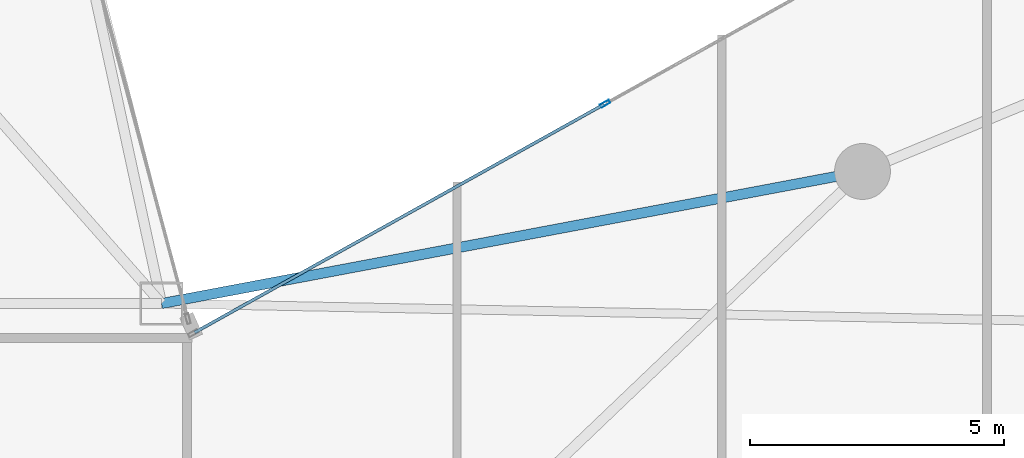
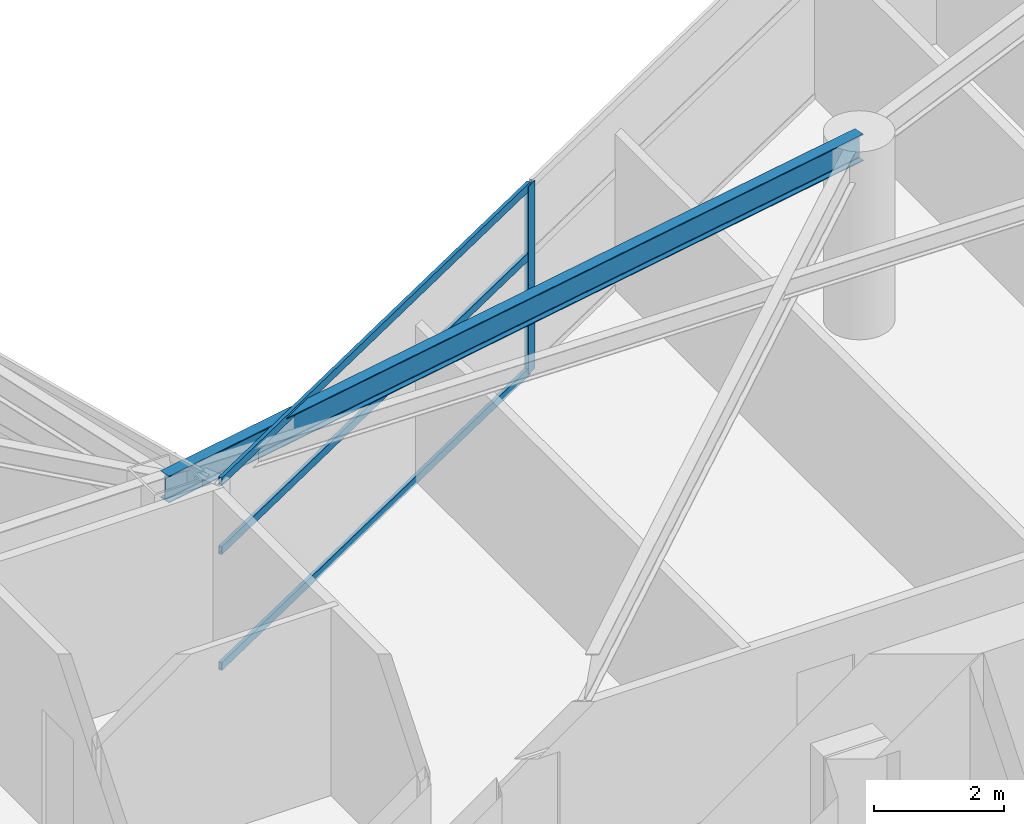
# One storey, part 11 of 28: 4 members, 1 beam, 1 element without a shape of its own.
"""IFC4 building model written with IfcOpenShell, lengths in metres."""

import ifcopenshell
import ifcopenshell.guid

model = None  # the IFC model being written
_history = None  # IfcOwnerHistory: only IFC2X3 demands one
_inside = {}  # id of a spatial element -> (the spatial element, [elements in it])
_under = {}  # id of a project, library or spatial element -> (it, [spatial elements below it])
_declared = {}  # id of a project -> (the project, [libraries it declares])
_typed = {}  # id of a type object -> (the type object, [elements of that type])
_made_of = {}  # id of a material, layer set ... -> (it, [elements and type objects made of it])


def new_model(schema):
    """Start an empty IFC model of exactly this schema.

    Asked for "IFC4X3", IfcOpenShell would pick the latest addendum, in which some entities
    have other attributes; the version numbers below select the first issue.
    IFC2X3 requires an IfcOwnerHistory on every rooted entity: one is made here for all.
    """
    global model, _history
    if schema == "IFC4X3":
        model = ifcopenshell.file(schema_version=(4, 3, 0, 0))
    else:
        model = ifcopenshell.file(schema=schema)
    _inside.clear()
    _under.clear()
    _declared.clear()
    _typed.clear()
    _made_of.clear()
    _history = None
    if model.schema == "IFC2X3":
        org = make("IfcOrganization", Name="unknown")
        user = make(
            "IfcPersonAndOrganization",
            ThePerson=make("IfcPerson", FamilyName="unknown"),
            TheOrganization=org,
        )
        app = make(
            "IfcApplication",
            ApplicationDeveloper=org,
            Version="unknown",
            ApplicationFullName="unknown",
            ApplicationIdentifier="unknown",
        )
        _history = make(
            "IfcOwnerHistory",
            OwningUser=user,
            OwningApplication=app,
            ChangeAction="ADDED",
            CreationDate=0,
        )
    return model


def make(cls, **values):
    """One entity of the class cls with the attributes given. An attribute that is None is left unset."""
    return model.create_entity(
        cls, **{name: value for name, value in values.items() if value is not None}
    )


def rooted(cls, **values):
    """An entity with a GlobalId (a new one), such as an element, a storey or a relation."""
    return make(cls, GlobalId=ifcopenshell.guid.new(), OwnerHistory=_history, **values)


def si_unit(unit_type, name, prefix=None):
    """IfcSIUnit, for example si_unit("LENGTHUNIT", "METRE", prefix="MILLI")."""
    return make("IfcSIUnit", UnitType=unit_type, Prefix=prefix, Name=name)


def assignment(units):
    """IfcUnitAssignment: the units of a project."""
    return None if units is None else make("IfcUnitAssignment", Units=units)


def point(xyz):
    """IfcCartesianPoint."""
    return None if xyz is None else make("IfcCartesianPoint", Coordinates=xyz)


def direction(xyz):
    """IfcDirection."""
    return None if xyz is None else make("IfcDirection", DirectionRatios=xyz)


def frame(location, z_axis=None, x_axis=None):
    """IfcAxis2Placement3D, a coordinate frame: its origin and axes. An axis left out is left unset."""
    return make(
        "IfcAxis2Placement3D",
        Location=point(location),
        Axis=direction(z_axis),
        RefDirection=direction(x_axis),
    )


def frame_2d(location, x_axis=None):
    """IfcAxis2Placement2D, a coordinate frame in the plane: its origin and x axis."""
    return make(
        "IfcAxis2Placement2D", Location=point(location), RefDirection=direction(x_axis)
    )


def origin():
    """The frame at (0, 0, 0) with its axes left unset."""
    return frame((0.0, 0.0, 0.0))


def origin_2d():
    """The frame at (0, 0) in the plane with its x axis left unset."""
    return frame_2d((0.0, 0.0))


def place(relative_to, where):
    """IfcLocalPlacement: puts the frame where relative to a parent placement (None: the world)."""
    return make(
        "IfcLocalPlacement", PlacementRelTo=relative_to, RelativePlacement=where
    )


def context(
    kind, dimensions, precision=None, world=None, true_north=None, identifier=None
):
    """IfcGeometricRepresentationContext, for example the 3D "Model" context."""
    return make(
        "IfcGeometricRepresentationContext",
        ContextIdentifier=identifier,
        ContextType=kind,
        CoordinateSpaceDimension=dimensions,
        Precision=precision,
        WorldCoordinateSystem=world,
        TrueNorth=true_north,
    )


def subcontext(parent, identifier, kind, view, scale=None):
    """IfcGeometricRepresentationSubContext, for example "Body" below "Model"."""
    return make(
        "IfcGeometricRepresentationSubContext",
        ContextIdentifier=identifier,
        ContextType=kind,
        ParentContext=parent,
        TargetScale=scale,
        TargetView=view,
    )


def project(units=None, contexts=None):
    """IfcProject with its units and contexts."""
    return rooted(
        "IfcProject",
        Name="project",
        RepresentationContexts=contexts,
        UnitsInContext=assignment(units),
    )


def spatial(cls, under=None, at=None, **own):
    """A site, building, storey or space (cls), placed at a placement, below another one or the project."""
    s = rooted(cls, ObjectPlacement=at, **own)
    if under is not None:
        _under.setdefault(under.id(), (under, []))[1].append(s)
    return s


def profile(cls, at=None, kind="AREA", **sizes):
    """A parametric profile (cls). Its sizes go by their IFC names, for example OverallWidth=200.0."""
    return make(cls, ProfileType=kind, Position=at, **sizes)


def hollow_rectangle(**sizes):
    """IfcRectangleHollowProfileDef."""
    return profile("IfcRectangleHollowProfileDef", **sizes)


def i_section(**sizes):
    """IfcIShapeProfileDef."""
    return profile("IfcIShapeProfileDef", **sizes)


def extrude(swept, where, along, depth):
    """IfcExtrudedAreaSolid: the profile swept, set in the frame where, extruded along a direction by depth."""
    return make(
        "IfcExtrudedAreaSolid",
        SweptArea=swept,
        Position=where,
        ExtrudedDirection=direction(along),
        Depth=depth,
    )


def shape(context_of_items, identifier, shape_type, items):
    """IfcShapeRepresentation: the items that make up one representation, for example the "Body"."""
    return make(
        "IfcShapeRepresentation",
        ContextOfItems=context_of_items,
        RepresentationIdentifier=identifier,
        RepresentationType=shape_type,
        Items=items,
    )


def material(Name=None, Category=None):
    """IfcMaterial."""
    return make("IfcMaterial", Name=Name, Category=Category)


def layer(
    of_material, thickness, ventilated=None, Name=None, Category=None, Priority=None
):
    """IfcMaterialLayer: one layer of a wall or slab, of a material (None: an air gap)."""
    return make(
        "IfcMaterialLayer",
        Material=of_material,
        LayerThickness=thickness,
        IsVentilated=ventilated,
        Name=Name,
        Category=Category,
        Priority=Priority,
    )


def layer_set(layers, Name=None):
    """IfcMaterialLayerSet."""
    return make("IfcMaterialLayerSet", MaterialLayers=layers, LayerSetName=Name)


def material_profile(
    of_material, cross_section, Name=None, Category=None, Priority=None
):
    """IfcMaterialProfile: a cross section and its material."""
    return make(
        "IfcMaterialProfile",
        Name=Name,
        Material=of_material,
        Profile=cross_section,
        Priority=Priority,
        Category=Category,
    )


def profile_set(profiles, Name=None, composite=None):
    """IfcMaterialProfileSet."""
    return make(
        "IfcMaterialProfileSet",
        Name=Name,
        MaterialProfiles=profiles,
        CompositeProfile=composite,
    )


def made_of(thing, what):
    """Note that an element or type object is made of a material, layer set ...; save() writes the relation."""
    if what is not None:
        _made_of.setdefault(what.id(), (what, []))[1].append(thing)
    return thing


def type_object(cls, material=None, **own):
    """A type object (cls), such as IfcWallType, which elements share."""
    return made_of(rooted(cls, **own), material)


def element(
    cls,
    number,
    at=None,
    inside=None,
    cuts=None,
    type_object=None,
    material=None,
    context=None,
    identifier="Body",
    shape_type=None,
    held_by="IfcProductDefinitionShape",
    body=None,
    shapes=None,
    **own,
):
    """One element of the class cls, such as IfcWall. Its Tag is "e" and its number.

    at: its placement. inside: the storey or other place that contains it. cuts: it is an
    opening in that element (IfcRelVoidsElement). A single representation is given by context,
    identifier, shape_type and body (its items); several are given by shapes. held_by: the class
    of the entity that holds the representations. save() writes the other relations.
    """
    e = rooted(cls, Tag="e%d" % number, ObjectPlacement=at, **own)
    if body is not None:
        shapes = [shape(context, identifier, shape_type, body)]
    if shapes is not None:
        e.Representation = make(held_by, Representations=shapes)
    if inside is not None:
        _inside.setdefault(inside.id(), (inside, []))[1].append(e)
    if cuts is not None:
        rooted(
            "IfcRelVoidsElement", RelatingBuildingElement=cuts, RelatedOpeningElement=e
        )
    if type_object is not None:
        _typed.setdefault(type_object.id(), (type_object, []))[1].append(e)
    return made_of(e, material)


def aggregate(whole, parts):
    """IfcRelAggregates: a whole, such as a stair, and the parts it consists of."""
    return rooted("IfcRelAggregates", RelatingObject=whole, RelatedObjects=parts)


def save(model, path):
    """Write the relations noted so far, then the file.

    IfcRelAggregates (storeys below a building ...), IfcRelContainedInSpatialStructure (elements
    in a storey), IfcRelDefinesByType, IfcRelAssociatesMaterial and IfcRelDeclares: one each for
    every whole, place, type object, material and project.
    """
    for whole, parts in _under.values():
        aggregate(whole, parts)
    for where, things in _inside.values():
        rooted(
            "IfcRelContainedInSpatialStructure",
            RelatedElements=things,
            RelatingStructure=where,
        )
    for kind, things in _typed.values():
        rooted("IfcRelDefinesByType", RelatedObjects=things, RelatingType=kind)
    for what, things in _made_of.values():
        rooted("IfcRelAssociatesMaterial", RelatedObjects=things, RelatingMaterial=what)
    for by, libraries in _declared.values():
        rooted("IfcRelDeclares", RelatingContext=by, RelatedDefinitions=libraries)
    model.write(path)


model = new_model("IFC4")

# Units and contexts
model_context = context("Model", 3, precision=1e-05, world=origin(), true_north=direction((0.0, 1.0)))
body_context = subcontext(model_context, "Body", "Model", "MODEL_VIEW")
ifc_project = project(units=[si_unit("LENGTHUNIT", "METRE"), si_unit("AREAUNIT", "SQUARE_METRE"), si_unit("VOLUMEUNIT", "CUBIC_METRE"), si_unit("PLANEANGLEUNIT", "RADIAN"), si_unit("MASSUNIT", "GRAM", prefix="KILO")], contexts=[model_context])

# Site, building, storey
site_placement = place(None, origin())
site = spatial("IfcSite", under=ifc_project, at=site_placement, CompositionType="ELEMENT")
building_placement = place(site_placement, origin())
building = spatial("IfcBuilding", under=site, at=building_placement, Name="Calvorn Quay Hotel", CompositionType="ELEMENT")
storey_placement = place(building_placement, frame((0.0, 0.0, 182.699951171875)))
storey = spatial("IfcBuildingStorey", under=building, at=storey_placement, Name="L45", CompositionType="ELEMENT", Elevation=182.699951171875)

# Beam
ifc_material_1 = material(Name="Steel Q355B", Category="steel")
ifc_material_profile_1 = material_profile(ifc_material_1, i_section(OverallWidth=0.199951171875, OverallDepth=0.5, WebThickness=0.010009765625, FlangeThickness=0.01611328125, FilletRadius=0.01611328125, at=origin_2d()), Name="HN500x200x10x16")
ifc_profile_set_1 = profile_set([ifc_material_profile_1], Name="Steel Q355B")
beam_type = type_object("IfcBeamType", Name="BM-SPANDREL-Z1", PredefinedType="SPANDREL", material=ifc_profile_set_1)
beam_placement = place(storey_placement, frame((34.800048828125, 27.60009765625, 3.27001953125), z_axis=(-0.982709432406, -0.185154452988, 0.0), x_axis=(0.185154452988, -0.982709432406, 0.0)))
element("IfcBeam", 1, at=beam_placement, inside=storey, type_object=beam_type, Name="Beam BSP-L45-E5", PredefinedType="SPANDREL", context=body_context, shape_type="SweptSolid", body=[
    extrude(i_section(OverallWidth=0.199951171875, OverallDepth=0.5, WebThickness=0.010009765625, FlangeThickness=0.01611328125, FilletRadius=0.01611328125, at=origin_2d()), origin(), (0.0, 0.0, 1.0), 14.04296875),
])

# Curtain wall, members
ifc_material_2 = material(Name="Pale Anodised Aluminium and Low-E Glass", Category="aluminium")
ifc_layer = layer(ifc_material_2, 0.219970703125)
ifc_layer_set = layer_set([ifc_layer], Name="CW-SYS-Z2")
curtain_wall_type = type_object("IfcCurtainWallType", Name="CW-SYS-Z2", PredefinedType="NOTDEFINED", material=ifc_layer_set)
curtain_wall_placement = place(storey_placement, origin())
curtain_wall = element("IfcCurtainWall", 2, at=curtain_wall_placement, inside=storey, type_object=curtain_wall_type, Name="Inner Court Curtain Wall L45-NE1", PredefinedType="NOTDEFINED")
ifc_material_3 = material(Name="Pale Anodised Aluminium 6063-T6", Category="aluminium")
ifc_material_profile_2 = material_profile(ifc_material_3, hollow_rectangle(XDim=0.070068359375, YDim=0.199951171875, WallThickness=0.00390625, at=origin_2d()), Name="ALU-M200x70x4")
ifc_profile_set_2 = profile_set([ifc_material_profile_2], Name="Pale Anodised Aluminium 6063-T6")
member_type_1 = type_object("IfcMemberType", Name="CW-SYS-Z2-MUL", PredefinedType="MULLION", material=ifc_profile_set_2)
member_1_placement = place(storey_placement, frame((29.7333984375, 28.933349609375, 0.0), z_axis=(0.0, 0.0, 1.0), x_axis=(0.486858256224, -0.873480989116, 0.0)))
member_1 = element("IfcMember", 3, at=member_1_placement, type_object=member_type_1, Name="CW-L45-NE1 mullion 3", PredefinedType="MULLION", context=body_context, shape_type="SweptSolid", body=[
    extrude(hollow_rectangle(XDim=0.070068359375, YDim=0.199951171875, WallThickness=0.00390625, at=origin_2d()), origin(), (0.0, 0.0, 1.0), 3.52001953125),
])
ifc_material_4 = material(Name="Pale Anodised Aluminium 6063-T6", Category="aluminium")
ifc_material_profile_3 = material_profile(ifc_material_4, hollow_rectangle(XDim=0.06005859375, YDim=0.14990234375, WallThickness=0.00341796875, at=origin_2d()), Name="ALU-T150x60x3.5")
ifc_profile_set_3 = profile_set([ifc_material_profile_3], Name="Pale Anodised Aluminium 6063-T6")
member_type_2 = type_object("IfcMemberType", Name="CW-SYS-Z2-TRN", PredefinedType="USERDEFINED", material=ifc_profile_set_3)
member_2_placement = place(storey_placement, frame((29.70703125, 28.918701171875, 0.030029296875), z_axis=(-0.87348080454, -0.486858587375, 0.0), x_axis=(0.486858587375, -0.87348080454, 0.0)))
member_2 = element("IfcMember", 4, at=member_2_placement, type_object=member_type_2, Name="CW-L45-NE1 transom 3.1", ObjectType="TRANSOM", PredefinedType="USERDEFINED", context=body_context, shape_type="SweptSolid", body=[
    extrude(hollow_rectangle(XDim=0.06005859375, YDim=0.14990234375, WallThickness=0.00341796875, at=origin_2d()), origin(), (0.0, 0.0, 1.0), 9.221435546875),
])
member_3_placement = place(storey_placement, frame((29.70703125, 28.918701171875, 2.199951171875), z_axis=(-0.87348080454, -0.486858587375, 0.0), x_axis=(0.486858587375, -0.87348080454, 0.0)))
member_3 = element("IfcMember", 5, at=member_3_placement, type_object=member_type_2, Name="CW-L45-NE1 transom 3.2", ObjectType="TRANSOM", PredefinedType="USERDEFINED", context=body_context, shape_type="SweptSolid", body=[
    extrude(hollow_rectangle(XDim=0.06005859375, YDim=0.14990234375, WallThickness=0.00341796875, at=origin_2d()), origin(), (0.0, 0.0, 1.0), 9.221435546875),
])
member_4_placement = place(storey_placement, frame((29.70703125, 28.918701171875, 3.489990234375), z_axis=(-0.87348080454, -0.486858587375, 0.0), x_axis=(0.486858587375, -0.87348080454, 0.0)))
member_4 = element("IfcMember", 6, at=member_4_placement, type_object=member_type_2, Name="CW-L45-NE1 transom 3.3", ObjectType="TRANSOM", PredefinedType="USERDEFINED", context=body_context, shape_type="SweptSolid", body=[
    extrude(hollow_rectangle(XDim=0.06005859375, YDim=0.14990234375, WallThickness=0.00341796875, at=origin_2d()), origin(), (0.0, 0.0, 1.0), 9.221435546875),
])
aggregate(curtain_wall, [member_1, member_2, member_3, member_4])

save(model, "model.ifc")
